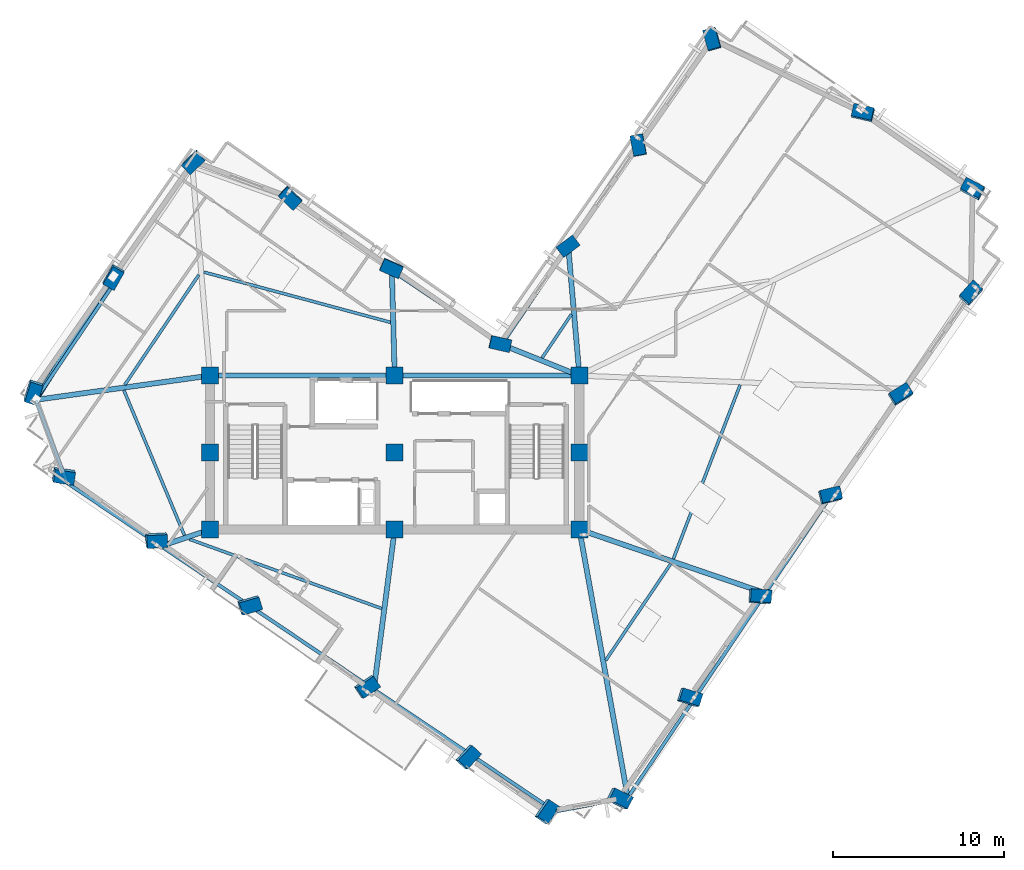
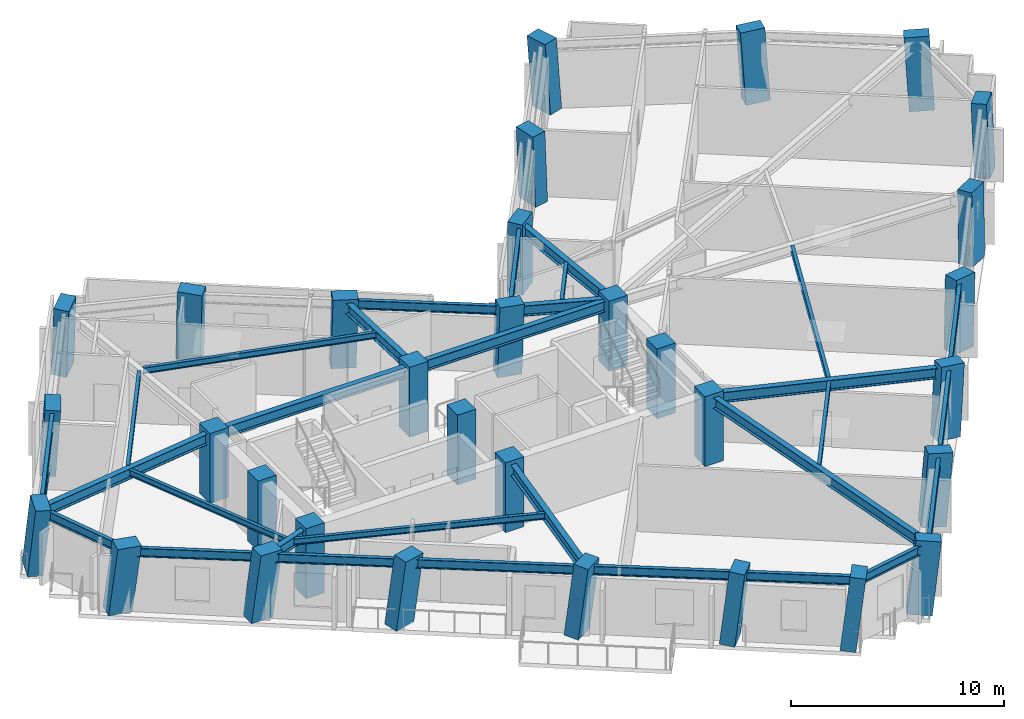
# One storey, part 1 of 12: 32 columns, 30 beams, 1 member.
"""IFC4 building model written with IfcOpenShell, lengths in metres."""

from ifc_helpers import new_model, si_unit, direction, frame, origin, origin_2d, place, context, subcontext, project, spatial, rectangle, hollow_circle, i_section, extrude, material, material_profile, profile_set, type_object, element, save


model = new_model("IFC4")

# Units and contexts
model_context = context("Model", 3, precision=1e-05, world=origin(), true_north=direction((0.0, 1.0)))
body_context = subcontext(model_context, "Body", "Model", "MODEL_VIEW")
ifc_project = project(units=[si_unit("LENGTHUNIT", "METRE"), si_unit("AREAUNIT", "SQUARE_METRE"), si_unit("VOLUMEUNIT", "CUBIC_METRE"), si_unit("PLANEANGLEUNIT", "RADIAN"), si_unit("MASSUNIT", "GRAM", prefix="KILO")], contexts=[model_context])

# Site, building, storey
site_placement = place(None, origin())
site = spatial("IfcSite", under=ifc_project, at=site_placement, CompositionType="ELEMENT")
building_placement = place(site_placement, origin())
building = spatial("IfcBuilding", under=site, at=building_placement, Name="Gaonmaruhae Medical Tower", CompositionType="ELEMENT")
storey_placement = place(building_placement, frame((0.0, 0.0, 259.199951171875)))
storey = spatial("IfcBuildingStorey", under=building, at=storey_placement, Name="L62", CompositionType="ELEMENT", Elevation=259.199951171875)

# Columns
ifc_material_1 = material(Name="Concrete C50/60", Category="concrete")
ifc_material_profile_1 = material_profile(ifc_material_1, rectangle(XDim=1.0, YDim=1.0, at=origin_2d()), Name="RC-1000x1000")
ifc_profile_set_1 = profile_set([ifc_material_profile_1], Name="Concrete C50/60")
column_type_1 = type_object("IfcColumnType", Name="CC-05 Zone 4 Core Column (RC-1000x1000)", PredefinedType="COLUMN", material=ifc_profile_set_1)
for number, where, z_axis, x_axis, name in (
    (1, (14.0, 7.800048828125, 0.0), (0.0, 0.0, 1.0), (1.0, 0.0, 0.0), "L62 Plumb Core Column CC11"),
    (2, (14.0, 12.300048828125, 0.0), (0.0, 0.0, 1.0), (1.0, 0.0, 0.0), "L62 Plumb Core Column CC12"),
    (3, (14.0, 16.800048828125, 0.0), (0.0, 0.0, 1.0), (1.0, 0.0, 0.0), "L62 Plumb Core Column CC13"),
    (4, (24.800048828125, 7.800048828125, 0.0), (0.0, 0.0, 1.0), (1.0, 0.0, 0.0), "L62 Plumb Core Column CC21"),
    (5, (24.800048828125, 12.300048828125, 0.0), (0.0, 0.0, 1.0), (1.0, 0.0, 0.0), "L62 Plumb Core Column CC22"),
    (6, (24.800048828125, 16.800048828125, 0.0), (0.0, 0.0, 1.0), (1.0, 0.0, 0.0), "L62 Plumb Core Column CC23"),
    (7, (35.60009765625, 7.800048828125, 0.0), (0.0, 0.0, 1.0), (1.0, 0.0, 0.0), "L62 Plumb Core Column CC31"),
    (8, (35.60009765625, 12.300048828125, 0.0), (0.0, 0.0, 1.0), (1.0, 0.0, 0.0), "L62 Plumb Core Column CC32"),
    (9, (35.60009765625, 16.800048828125, 0.0), (0.0, 0.0, 1.0), (1.0, 0.0, 0.0), "L62 Plumb Core Column CC33"),
):
    element("IfcColumn", number, at=place(storey_placement, frame(where, z_axis=z_axis, x_axis=x_axis)), inside=storey, type_object=column_type_1, Name=name, PredefinedType="COLUMN", context=body_context, shape_type="SweptSolid", body=[
        extrude(rectangle(XDim=1.0, YDim=1.0, at=origin_2d()), origin(), (0.0, 0.0, 1.0), 4.0),
    ])
ifc_material_profile_2 = material_profile(ifc_material_1, rectangle(XDim=1.199951171875, YDim=0.75, at=origin_2d()), Name="RC-1200x750")
ifc_profile_set_2 = profile_set([ifc_material_profile_2], Name="Concrete C50/60")
column_type_2 = type_object("IfcColumnType", Name="TC-03 Upper Raking Tube Pier Column (RC-1200x750)", PredefinedType="COLUMN", material=ifc_profile_set_2)
column_1_placement = place(storey_placement, frame((37.88818359375, -7.94189453125, 0.001953125), z_axis=(0.134308942989, 0.01870277755, 0.99076299585), x_axis=(-0.883721512604, 0.45460659371, 0.111216604497)))
element("IfcColumn", 10, at=column_1_placement, inside=storey, type_object=column_type_2, Name="L62 Perimeter Tube Column S01", PredefinedType="COLUMN", context=body_context, shape_type="SweptSolid", body=[
    extrude(rectangle(XDim=1.199951171875, YDim=0.75, at=origin_2d()), origin(), (0.0, 0.0, 1.0), 4.03369140625),
])
column_2_placement = place(storey_placement, frame((42.007568359375, -2.036865234375, 0.001953125), z_axis=(0.110255129205, 0.035558341064, 0.993267039051), x_axis=(-0.950921658862, 0.294483703304, 0.095012352863)))
element("IfcColumn", 11, at=column_2_placement, inside=storey, type_object=column_type_2, Name="L62 Perimeter Tube Column S02", PredefinedType="COLUMN", context=body_context, shape_type="SweptSolid", body=[
    extrude(rectangle(XDim=1.199951171875, YDim=0.75, at=origin_2d()), origin(), (0.0, 0.0, 1.0), 4.0234375),
])
column_3_placement = place(storey_placement, frame((46.127197265625, 3.868408203125, 0.001953125), z_axis=(0.085884033483, 0.052332733779, 0.994929755193), x_axis=(-0.9945362428, 0.063984080807, 0.082484538915)))
element("IfcColumn", 12, at=column_3_placement, inside=storey, type_object=column_type_2, Name="L62 Perimeter Tube Column S03", PredefinedType="COLUMN", context=body_context, shape_type="SweptSolid", body=[
    extrude(rectangle(XDim=1.199951171875, YDim=0.75, at=origin_2d()), origin(), (0.0, 0.0, 1.0), 4.0166015625),
])
column_4_placement = place(storey_placement, frame((50.24658203125, 9.7734375, 0.001953125), z_axis=(0.061437147867, 0.069223241854, 0.995707597465), x_axis=(-0.969991349741, -0.230986175775, 0.075908945645)))
element("IfcColumn", 13, at=column_4_placement, inside=storey, type_object=column_type_2, Name="L62 Perimeter Tube Column S04", PredefinedType="COLUMN", context=body_context, shape_type="SweptSolid", body=[
    extrude(rectangle(XDim=1.199951171875, YDim=0.75, at=origin_2d()), origin(), (0.0, 0.0, 1.0), 4.013671875),
])
column_5_placement = place(storey_placement, frame((54.365966796875, 15.678466796875, 0.001953125), z_axis=(0.03691932488, 0.086063994572, 0.995605319536), x_axis=(-0.847717972031, -0.524857195054, 0.076806019917)))
element("IfcColumn", 14, at=column_5_placement, inside=storey, type_object=column_type_2, Name="L62 Perimeter Tube Column S05", PredefinedType="COLUMN", context=body_context, shape_type="SweptSolid", body=[
    extrude(rectangle(XDim=1.199951171875, YDim=0.75, at=origin_2d()), origin(), (0.0, 0.0, 1.0), 4.013916015625),
])
column_6_placement = place(storey_placement, frame((58.4853515625, 21.583740234375, 0.001953125), z_axis=(0.012395734338, 0.102690152111, 0.994636153792), x_axis=(-0.665782441812, -0.741307709534, 0.084832894327)))
element("IfcColumn", 15, at=column_6_placement, inside=storey, type_object=column_type_2, Name="L62 Perimeter Tube Column S06", PredefinedType="COLUMN", context=body_context, shape_type="SweptSolid", body=[
    extrude(rectangle(XDim=1.199951171875, YDim=0.75, at=origin_2d()), origin(), (0.0, 0.0, 1.0), 4.017822265625),
])
column_7_placement = place(storey_placement, frame((58.586181640625, 27.670654296875, 0.001953125), z_axis=(-0.012699185613, 0.102930241281, 0.994607508575), x_axis=(0.883660600757, -0.464352223907, 0.059337634117)))
element("IfcColumn", 16, at=column_7_placement, inside=storey, type_object=column_type_2, Name="L62 Perimeter Tube Column E01", PredefinedType="COLUMN", context=body_context, shape_type="SweptSolid", body=[
    extrude(rectangle(XDim=1.199951171875, YDim=0.75, at=origin_2d()), origin(), (0.0, 0.0, 1.0), 4.01806640625),
])
column_8_placement = place(storey_placement, frame((52.18896484375, 32.133544921875, 0.001953125), z_axis=(-0.030928368187, 0.076529446477, 0.996587517413), x_axis=(0.974050848786, -0.221347232866, 0.047226544254)))
element("IfcColumn", 17, at=column_8_placement, inside=storey, type_object=column_type_2, Name="L62 Perimeter Tube Column E02", PredefinedType="COLUMN", context=body_context, shape_type="SweptSolid", body=[
    extrude(rectangle(XDim=1.199951171875, YDim=0.75, at=origin_2d()), origin(), (0.0, 0.0, 1.0), 4.010009765625),
])
column_9_placement = place(storey_placement, frame((43.375244140625, 36.452880859375, 0.001953125), z_axis=(-0.048592952398, 0.040057176569, 0.998015103885), x_axis=(0.267660876865, -0.962127864651, 0.051649076055)))
element("IfcColumn", 18, at=column_9_placement, inside=storey, type_object=column_type_2, Name="L62 Perimeter Tube Column E03", PredefinedType="COLUMN", context=body_context, shape_type="SweptSolid", body=[
    extrude(rectangle(XDim=1.199951171875, YDim=0.75, at=origin_2d()), origin(), (0.0, 0.0, 1.0), 4.00439453125),
])
column_10_placement = place(storey_placement, frame((39.055419921875, 30.2607421875, 0.001953125), z_axis=(-0.022775341042, 0.022408981669, 0.99948943035), x_axis=(0.183044669625, -0.982755287871, 0.026204829398)))
element("IfcColumn", 19, at=column_10_placement, inside=storey, type_object=column_type_2, Name="L62 Perimeter Tube Column EN01", PredefinedType="COLUMN", context=body_context, shape_type="SweptSolid", body=[
    extrude(rectangle(XDim=1.199951171875, YDim=0.75, at=origin_2d()), origin(), (0.0, 0.0, 1.0), 3.998291015625),
])
column_11_placement = place(storey_placement, frame((34.93603515625, 24.355712890625, 0.001953125), z_axis=(0.001832701206, 0.005559193659, 0.999982868139), x_axis=(-0.800160526924, -0.599766691213, 0.004800756595)))
element("IfcColumn", 20, at=column_11_placement, inside=storey, type_object=column_type_2, Name="L62 Perimeter Tube Column EN02", PredefinedType="COLUMN", context=body_context, shape_type="SweptSolid", body=[
    extrude(rectangle(XDim=1.199951171875, YDim=0.75, at=origin_2d()), origin(), (0.0, 0.0, 1.0), 3.996337890625),
])
column_12_placement = place(storey_placement, frame((30.959716796875, 18.655517578125, 0.001953125), z_axis=(0.025526294646, -0.010686845845, 0.999617026469), x_axis=(-0.975503730125, 0.218289310673, 0.027244253684)))
element("IfcColumn", 21, at=column_12_placement, inside=storey, type_object=column_type_2, Name="L62 Perimeter Tube Column KN01", PredefinedType="COLUMN", context=body_context, shape_type="SweptSolid", body=[
    extrude(rectangle(XDim=1.199951171875, YDim=0.75, at=origin_2d()), origin(), (0.0, 0.0, 1.0), 3.997802734375),
])
column_13_placement = place(storey_placement, frame((24.603515625, 23.089599609375, 0.001953125), z_axis=(0.007386709361, -0.037177735545, 0.999281368036), x_axis=(-0.915845651097, 0.400944413579, 0.021686875903)))
element("IfcColumn", 22, at=column_13_placement, inside=storey, type_object=column_type_2, Name="L62 Perimeter Tube Column NE01", PredefinedType="COLUMN", context=body_context, shape_type="SweptSolid", body=[
    extrude(rectangle(XDim=1.199951171875, YDim=0.75, at=origin_2d()), origin(), (0.0, 0.0, 1.0), 3.999267578125),
])
column_14_placement = place(storey_placement, frame((18.6982421875, 27.208984375, 0.001953125), z_axis=(-0.009450651527, -0.061703608682, 0.998049773238), x_axis=(-0.724246077082, 0.688616038079, 0.035715149892)))
element("IfcColumn", 23, at=column_14_placement, inside=storey, type_object=column_type_2, Name="L62 Perimeter Tube Column NE02", PredefinedType="COLUMN", context=body_context, shape_type="SweptSolid", body=[
    extrude(rectangle(XDim=1.199951171875, YDim=0.75, at=origin_2d()), origin(), (0.0, 0.0, 1.0), 4.004150390625),
])
column_15_placement = place(storey_placement, frame((13.042236328125, 29.325927734375, 0.001953125), z_axis=(-0.018014447345, -0.085081747932, 0.996211110084), x_axis=(0.728978609548, 0.680810293974, 0.071326926471)))
element("IfcColumn", 24, at=column_15_placement, inside=storey, type_object=column_type_2, Name="L62 Perimeter Tube Column N01", PredefinedType="COLUMN", context=body_context, shape_type="SweptSolid", body=[
    extrude(rectangle(XDim=1.199951171875, YDim=0.75, at=origin_2d()), origin(), (0.0, 0.0, 1.0), 4.011474609375),
])
column_16_placement = place(storey_placement, frame((8.3505859375, 22.6005859375, 0.001953125), z_axis=(0.009964092293, -0.104015402478, 0.994525772875), x_axis=(0.491758834687, 0.866503859195, 0.08569895278)))
element("IfcColumn", 25, at=column_16_placement, inside=storey, type_object=column_type_2, Name="L62 Perimeter Tube Column N02", PredefinedType="COLUMN", context=body_context, shape_type="SweptSolid", body=[
    extrude(rectangle(XDim=1.199951171875, YDim=0.75, at=origin_2d()), origin(), (0.0, 0.0, 1.0), 4.018310546875),
])
column_17_placement = place(storey_placement, frame((3.6591796875, 15.875244140625, 0.001953125), z_axis=(0.037684118386, -0.122746019051, 0.991722401698), x_axis=(0.30823691236, 0.945462985403, 0.105307877631)))
element("IfcColumn", 26, at=column_17_placement, inside=storey, type_object=column_type_2, Name="L62 Perimeter Tube Column N03", PredefinedType="COLUMN", context=body_context, shape_type="SweptSolid", body=[
    extrude(rectangle(XDim=1.199951171875, YDim=0.75, at=origin_2d()), origin(), (0.0, 0.0, 1.0), 4.02978515625),
])
column_18_placement = place(storey_placement, frame((5.428466796875, 10.983154296875, 0.001953125), z_axis=(0.057733853131, -0.115285962758, 0.991653139456), x_axis=(-0.987390320291, 0.140065903522, 0.073769221678)))
element("IfcColumn", 27, at=column_18_placement, inside=storey, type_object=column_type_2, Name="L62 Perimeter Tube Column W01", PredefinedType="COLUMN", context=body_context, shape_type="SweptSolid", body=[
    extrude(rectangle(XDim=1.199951171875, YDim=0.75, at=origin_2d()), origin(), (0.0, 0.0, 1.0), 4.030029296875),
])
column_19_placement = place(storey_placement, frame((10.84130859375, 7.20703125, 0.001953125), z_axis=(0.073218219702, -0.093054473092, 0.992965234709), x_axis=(-0.995856173351, -0.060671314554, 0.067745653657)))
element("IfcColumn", 28, at=column_19_placement, inside=storey, type_object=column_type_2, Name="L62 Perimeter Tube Column W02", PredefinedType="COLUMN", context=body_context, shape_type="SweptSolid", body=[
    extrude(rectangle(XDim=1.199951171875, YDim=0.75, at=origin_2d()), origin(), (0.0, 0.0, 1.0), 4.024658203125),
])
column_20_placement = place(storey_placement, frame((16.29541015625, 3.40234375, 0.001953125), z_axis=(0.088739498506, -0.070530299086, 0.993554617681), x_axis=(-0.955324569073, -0.288355272947, 0.064855256449)))
element("IfcColumn", 29, at=column_20_placement, inside=storey, type_object=column_type_2, Name="L62 Perimeter Tube Column W03", PredefinedType="COLUMN", context=body_context, shape_type="SweptSolid", body=[
    extrude(rectangle(XDim=1.199951171875, YDim=0.75, at=origin_2d()), origin(), (0.0, 0.0, 1.0), 4.022216796875),
])
column_21_placement = place(storey_placement, frame((23.143798828125, -1.375, 0.001953125), z_axis=(0.108128617491, -0.042171374386, 0.993242053712), x_axis=(-0.827443780032, -0.557608555658, 0.066403987405)))
element("IfcColumn", 30, at=column_21_placement, inside=storey, type_object=column_type_2, Name="L62 Perimeter Tube Column W04", PredefinedType="COLUMN", context=body_context, shape_type="SweptSolid", body=[
    extrude(rectangle(XDim=1.199951171875, YDim=0.75, at=origin_2d()), origin(), (0.0, 0.0, 1.0), 4.0234375),
])
column_22_placement = place(storey_placement, frame((29.048828125, -5.494384765625, 0.001953125), z_axis=(0.124723885186, -0.017696489055, 0.9920336621), x_axis=(-0.677173208358, -0.73228522082, 0.072074969657)))
element("IfcColumn", 31, at=column_22_placement, inside=storey, type_object=column_type_2, Name="L62 Perimeter Tube Column W05", PredefinedType="COLUMN", context=body_context, shape_type="SweptSolid", body=[
    extrude(rectangle(XDim=1.199951171875, YDim=0.75, at=origin_2d()), origin(), (0.0, 0.0, 1.0), 4.0283203125),
])
column_23_placement = place(storey_placement, frame((33.641845703125, -8.698486328125, 0.001953125), z_axis=(0.137480849242, 0.001331240618, 0.990503530478), x_axis=(-0.558744702115, -0.825600704714, 0.078662788118)))
element("IfcColumn", 32, at=column_23_placement, inside=storey, type_object=column_type_2, Name="L62 Perimeter Tube Column W06", PredefinedType="COLUMN", context=body_context, shape_type="SweptSolid", body=[
    extrude(rectangle(XDim=1.199951171875, YDim=0.75, at=origin_2d()), origin(), (0.0, 0.0, 1.0), 4.03466796875),
])

# Beams
ifc_material_2 = material(Name="Steel SM355", Category="steel")
ifc_material_profile_3 = material_profile(ifc_material_2, i_section(OverallWidth=0.175048828125, OverallDepth=0.35009765625, WebThickness=0.007080078125, FlangeThickness=0.010986328125, FilletRadius=0.012939453125, at=origin_2d()), Name="H-350x175x7x11")
ifc_profile_set_3 = profile_set([ifc_material_profile_3], Name="Steel SM355")
beam_type_1 = type_object("IfcBeamType", Name="FJ-02 Upper Zone Ward Floor Joist (H-350x175x7x11)", PredefinedType="JOIST", material=ifc_profile_set_3)
beam_1_placement = place(storey_placement, frame((37.138671875, 0.150390625, 3.60498046875), z_axis=(0.558471155852, 0.829523940632, 0.0), x_axis=(-0.829523940632, 0.558471155852, 0.0)))
element("IfcBeam", 33, at=beam_1_placement, inside=storey, type_object=beam_type_1, Name="L62 Secondary Floor Joist FJ01", PredefinedType="JOIST", context=body_context, shape_type="SweptSolid", body=[
    extrude(i_section(OverallWidth=0.175048828125, OverallDepth=0.35009765625, WebThickness=0.007080078125, FlangeThickness=0.010986328125, FilletRadius=0.012939453125, at=origin_2d()), origin(), (0.0, 0.0, 1.0), 6.8173828125),
])
beam_2_placement = place(storey_placement, frame((41.092041015625, 6.085205078125, 3.60498046875), z_axis=(0.358453583054, 0.933547550367, 0.0), x_axis=(-0.933547550367, 0.358453583054, 0.0)))
element("IfcBeam", 34, at=beam_2_placement, inside=storey, type_object=beam_type_1, Name="L62 Secondary Floor Joist FJ02", PredefinedType="JOIST", context=body_context, shape_type="SweptSolid", body=[
    extrude(i_section(OverallWidth=0.175048828125, OverallDepth=0.35009765625, WebThickness=0.007080078125, FlangeThickness=0.010986328125, FilletRadius=0.012939453125, at=origin_2d()), origin(), (0.0, 0.0, 1.0), 10.8974609375),
])
beam_3_placement = place(storey_placement, frame((35.134765625, 20.3857421875, 3.60498046875), z_axis=(-0.55847422869, -0.829521871857, 0.0), x_axis=(0.829521871857, -0.55847422869, 0.0)))
element("IfcBeam", 35, at=beam_3_placement, inside=storey, type_object=beam_type_1, Name="L62 Secondary Floor Joist FJ05", PredefinedType="JOIST", context=body_context, shape_type="SweptSolid", body=[
    extrude(i_section(OverallWidth=0.175048828125, OverallDepth=0.35009765625, WebThickness=0.007080078125, FlangeThickness=0.010986328125, FilletRadius=0.012939453125, at=origin_2d()), origin(), (0.0, 0.0, 1.0), 3.070556640625),
])
beam_4_placement = place(storey_placement, frame((24.5595703125, 19.91259765625, 3.60498046875), z_axis=(-0.96565641367, 0.259822421546, 0.0), x_axis=(-0.259822421546, -0.96565641367, 0.0)))
element("IfcBeam", 36, at=beam_4_placement, inside=storey, type_object=beam_type_1, Name="L62 Secondary Floor Joist FJ07", PredefinedType="JOIST", context=body_context, shape_type="SweptSolid", body=[
    extrude(i_section(OverallWidth=0.175048828125, OverallDepth=0.35009765625, WebThickness=0.007080078125, FlangeThickness=0.010986328125, FilletRadius=0.012939453125, at=origin_2d()), origin(), (0.0, 0.0, 1.0), 11.302978515625),
])
beam_5_placement = place(storey_placement, frame((13.347900390625, 22.688720703125, 3.60498046875), z_axis=(-0.558454360336, -0.829535247848, 0.0), x_axis=(0.829535247848, -0.558454360336, 0.0)))
element("IfcBeam", 37, at=beam_5_placement, inside=storey, type_object=beam_type_1, Name="L62 Secondary Floor Joist FJ08", PredefinedType="JOIST", context=body_context, shape_type="SweptSolid", body=[
    extrude(i_section(OverallWidth=0.175048828125, OverallDepth=0.35009765625, WebThickness=0.007080078125, FlangeThickness=0.010986328125, FilletRadius=0.012939453125, at=origin_2d()), origin(), (0.0, 0.0, 1.0), 7.7470703125),
])
beam_6_placement = place(storey_placement, frame((8.967529296875, 15.94140625, 3.60498046875), z_axis=(0.385222686708, -0.922823646015, 0.0), x_axis=(0.922823646015, 0.385222686708, 0.0)))
element("IfcBeam", 38, at=beam_6_placement, inside=storey, type_object=beam_type_1, Name="L62 Secondary Floor Joist FJ09", PredefinedType="JOIST", context=body_context, shape_type="SweptSolid", body=[
    extrude(i_section(OverallWidth=0.175048828125, OverallDepth=0.35009765625, WebThickness=0.007080078125, FlangeThickness=0.010986328125, FilletRadius=0.012939453125, at=origin_2d()), origin(), (0.0, 0.0, 1.0), 9.190185546875),
])
beam_7_placement = place(storey_placement, frame((12.800537109375, 7.232421875, 3.5849609375), z_axis=(0.940765166984, -0.339058845319, 0.0), x_axis=(0.339058845319, 0.940765166984, 0.0)))
element("IfcBeam", 39, at=beam_7_placement, inside=storey, type_object=beam_type_1, Name="L62 Secondary Floor Joist FJ10", PredefinedType="JOIST", context=body_context, shape_type="SweptSolid", body=[
    extrude(i_section(OverallWidth=0.175048828125, OverallDepth=0.35009765625, WebThickness=0.007080078125, FlangeThickness=0.010986328125, FilletRadius=0.012939453125, at=origin_2d()), origin(), (0.0, 0.0, 1.0), 11.946533203125),
])

# Member
ifc_material_profile_4 = material_profile(ifc_material_2, hollow_circle(Radius=0.1591796875, WallThickness=0.01025390625, at=origin_2d()), Name="CHS-318.5x10.3")
ifc_profile_set_4 = profile_set([ifc_material_profile_4], Name="Steel SM355")
member_type = type_object("IfcMemberType", Name="PB-03 Perimeter Solid-Bay Tube Brace Upper (CHS-318.5x10.3)", PredefinedType="BRACE", material=ifc_profile_set_4)
member_placement = place(storey_placement, frame((8.3505859375, 22.600830078125, 0.25), z_axis=(-0.496762815015, -0.790176961979, 0.358952746718), x_axis=(0.846597854871, -0.532233099429, 0.0)))
element("IfcMember", 40, at=member_placement, inside=storey, type_object=member_type, Name="L62 Perimeter Tube Solid-Bay Brace N02-N03", PredefinedType="BRACE", context=body_context, shape_type="SweptSolid", body=[
    extrude(hollow_circle(Radius=0.1591796875, WallThickness=0.01025390625, at=origin_2d()), origin(), (0.0, 0.0, 1.0), 9.1376953125),
])

# Beams
ifc_material_3 = material(Name="Steel SM420", Category="steel")
ifc_material_profile_5 = material_profile(ifc_material_3, i_section(OverallWidth=0.300048828125, OverallDepth=0.60009765625, WebThickness=0.011962890625, FlangeThickness=0.02001953125, FilletRadius=0.012939453125, at=origin_2d()), Name="H-600x300x12x20")
ifc_profile_set_5 = profile_set([ifc_material_profile_5], Name="Steel SM420")
beam_type_2 = type_object("IfcBeamType", Name="PG-04 Zone 4 Radial Floor Girder (H-600x300x12x20)", PredefinedType="BEAM", material=ifc_profile_set_5)
for number, where, z_axis, x_axis, name in (
    (41, (14.050048828125, 16.800048828125, 3.47998046875), (1.0, 0.0, 0.0), (0.0, 1.0, 0.0), "L62 Beam BM-L62-CG-N1"),
    (42, (24.85009765625, 16.800048828125, 3.47998046875), (1.0, 0.0, 0.0), (0.0, 1.0, 0.0), "L62 Beam BM-L62-CG-N2"),
):
    element("IfcBeam", number, at=place(storey_placement, frame(where, z_axis=z_axis, x_axis=x_axis)), inside=storey, type_object=beam_type_2, Name=name, PredefinedType="BEAM", context=body_context, shape_type="SweptSolid", body=[
        extrude(i_section(OverallWidth=0.300048828125, OverallDepth=0.60009765625, WebThickness=0.011962890625, FlangeThickness=0.02001953125, FilletRadius=0.012939453125, at=origin_2d()), origin(), (0.0, 0.0, 1.0), 10.699951171875),
    ])
beam_8_placement = place(storey_placement, frame((35.60888671875, 7.750732421875, 3.47998046875), z_axis=(0.177782580001, -0.98406979135, 0.0), x_axis=(0.98406979135, 0.177782580001, 0.0)))
element("IfcBeam", 43, at=beam_8_placement, inside=storey, type_object=beam_type_2, Name="L62 Radial Primary Girder S01", PredefinedType="BEAM", context=body_context, shape_type="SweptSolid", body=[
    extrude(i_section(OverallWidth=0.300048828125, OverallDepth=0.60009765625, WebThickness=0.011962890625, FlangeThickness=0.02001953125, FilletRadius=0.012939453125, at=origin_2d()), origin(), (0.0, 0.0, 1.0), 15.81982421875),
])
beam_9_placement = place(storey_placement, frame((35.647216796875, 7.78369140625, 3.47998046875), z_axis=(0.946121831112, -0.323810871795, 0.0), x_axis=(0.323810871795, 0.946121831112, 0.0)))
element("IfcBeam", 44, at=beam_9_placement, inside=storey, type_object=beam_type_2, Name="L62 Radial Primary Girder S03", PredefinedType="BEAM", context=body_context, shape_type="SweptSolid", body=[
    extrude(i_section(OverallWidth=0.300048828125, OverallDepth=0.60009765625, WebThickness=0.011962890625, FlangeThickness=0.02001953125, FilletRadius=0.012939453125, at=origin_2d()), origin(), (0.0, 0.0, 1.0), 11.3916015625),
])
beam_10_placement = place(storey_placement, frame((35.595703125, 16.849853515625, 3.47998046875), z_axis=(-0.086353122427, 0.996264592489, 0.0), x_axis=(-0.996264592489, -0.086353122427, 0.0)))
element("IfcBeam", 45, at=beam_10_placement, inside=storey, type_object=beam_type_2, Name="L62 Radial Primary Girder EN02", PredefinedType="BEAM", context=body_context, shape_type="SweptSolid", body=[
    extrude(i_section(OverallWidth=0.300048828125, OverallDepth=0.60009765625, WebThickness=0.011962890625, FlangeThickness=0.02001953125, FilletRadius=0.012939453125, at=origin_2d()), origin(), (0.0, 0.0, 1.0), 7.50634765625),
])
beam_11_placement = place(storey_placement, frame((35.553466796875, 16.818603515625, 3.47998046875), z_axis=(-0.928648952789, 0.370959731621, 0.0), x_axis=(-0.370959731621, -0.928648952789, 0.0)))
element("IfcBeam", 46, at=beam_11_placement, inside=storey, type_object=beam_type_2, Name="L62 Radial Primary Girder KN01", PredefinedType="BEAM", context=body_context, shape_type="SweptSolid", body=[
    extrude(i_section(OverallWidth=0.300048828125, OverallDepth=0.60009765625, WebThickness=0.011962890625, FlangeThickness=0.02001953125, FilletRadius=0.012939453125, at=origin_2d()), origin(), (0.0, 0.0, 1.0), 4.78662109375),
])
beam_12_placement = place(storey_placement, frame((24.798583984375, 16.85009765625, 3.47998046875), z_axis=(-0.027149185469, 0.999631392929, 0.0), x_axis=(-0.999631392929, -0.027149185469, 0.0)))
element("IfcBeam", 47, at=beam_12_placement, inside=storey, type_object=beam_type_2, Name="L62 Radial Primary Girder NE01", PredefinedType="BEAM", context=body_context, shape_type="SweptSolid", body=[
    extrude(i_section(OverallWidth=0.300048828125, OverallDepth=0.60009765625, WebThickness=0.011962890625, FlangeThickness=0.02001953125, FilletRadius=0.012939453125, at=origin_2d()), origin(), (0.0, 0.0, 1.0), 6.04296875),
])
beam_13_placement = place(storey_placement, frame((13.950439453125, 16.793212890625, 3.47998046875), z_axis=(-0.990430128019, -0.138015077121, 0.0), x_axis=(0.138015077121, -0.990430128019, 0.0)))
element("IfcBeam", 48, at=beam_13_placement, inside=storey, type_object=beam_type_2, Name="L62 Radial Primary Girder N03", PredefinedType="BEAM", context=body_context, shape_type="SweptSolid", body=[
    extrude(i_section(OverallWidth=0.300048828125, OverallDepth=0.60009765625, WebThickness=0.011962890625, FlangeThickness=0.02001953125, FilletRadius=0.012939453125, at=origin_2d()), origin(), (0.0, 0.0, 1.0), 10.187255859375),
])
beam_14_placement = place(storey_placement, frame((13.95263671875, 7.783935546875, 3.47998046875), z_axis=(-0.947389098175, -0.320084202452, 0.0), x_axis=(0.320084202452, -0.947389098175, 0.0)))
element("IfcBeam", 49, at=beam_14_placement, inside=storey, type_object=beam_type_2, Name="L62 Radial Primary Girder W02", PredefinedType="BEAM", context=body_context, shape_type="SweptSolid", body=[
    extrude(i_section(OverallWidth=0.300048828125, OverallDepth=0.60009765625, WebThickness=0.011962890625, FlangeThickness=0.02001953125, FilletRadius=0.012939453125, at=origin_2d()), origin(), (0.0, 0.0, 1.0), 2.9228515625),
])
beam_15_placement = place(storey_placement, frame((24.79345703125, 7.75048828125, 3.47998046875), z_axis=(-0.129556339183, -0.991572062423, 0.0), x_axis=(0.991572062423, -0.129556339183, 0.0)))
element("IfcBeam", 50, at=beam_15_placement, inside=storey, type_object=beam_type_2, Name="L62 Radial Primary Girder W04", PredefinedType="BEAM", context=body_context, shape_type="SweptSolid", body=[
    extrude(i_section(OverallWidth=0.300048828125, OverallDepth=0.60009765625, WebThickness=0.011962890625, FlangeThickness=0.02001953125, FilletRadius=0.012939453125, at=origin_2d()), origin(), (0.0, 0.0, 1.0), 9.32421875),
])
ifc_material_profile_6 = material_profile(ifc_material_2, i_section(OverallWidth=0.199951171875, OverallDepth=0.5, WebThickness=0.010009765625, FlangeThickness=0.01611328125, FilletRadius=0.012939453125, at=origin_2d()), Name="H-500x200x10x16")
ifc_profile_set_6 = profile_set([ifc_material_profile_6], Name="Steel SM355")
beam_type_3 = type_object("IfcBeamType", Name="SP-02 Upper Perimeter Spandrel Beam (H-500x200x10x16)", PredefinedType="SPANDREL", material=ifc_profile_set_6)
for number, where, z_axis, x_axis, name in (
    (51, (38.45263671875, -7.833251953125, 3.530029296875), (0.558468943458, 0.829525430106, 0.0), (-0.829525430106, 0.558468943458, 0.0), "L62 Perimeter Spandrel Beam S01-S02"),
    (52, (42.4736328125, -1.860595703125, 3.530029296875), (0.558468943458, 0.829525430106, 0.0), (-0.829525430106, 0.558468943458, 0.0), "L62 Perimeter Spandrel Beam S02-S03"),
    (53, (46.49462890625, 4.112060546875, 3.530029296875), (0.558468943458, 0.829525430106, 0.0), (-0.829525430106, 0.558468943458, 0.0), "L62 Perimeter Spandrel Beam S03-S04"),
):
    element("IfcBeam", number, at=place(storey_placement, frame(where, z_axis=z_axis, x_axis=x_axis)), inside=storey, type_object=beam_type_3, Name=name, PredefinedType="SPANDREL", context=body_context, shape_type="SweptSolid", body=[
        extrude(i_section(OverallWidth=0.199951171875, OverallDepth=0.5, WebThickness=0.010009765625, FlangeThickness=0.01611328125, FilletRadius=0.012939453125, at=origin_2d()), origin(), (0.0, 0.0, 1.0), 7.1201171875),
    ])
beam_16_placement = place(storey_placement, frame((34.9208984375, 24.3447265625, 3.530029296875), z_axis=(-0.558458672699, -0.82953234469, 0.0), x_axis=(0.82953234469, -0.558458672699, 0.0)))
element("IfcBeam", 54, at=beam_16_placement, inside=storey, type_object=beam_type_3, Name="L62 Perimeter Spandrel Beam EN02-KN01", PredefinedType="SPANDREL", context=body_context, shape_type="SweptSolid", body=[
    extrude(i_section(OverallWidth=0.199951171875, OverallDepth=0.5, WebThickness=0.010009765625, FlangeThickness=0.01611328125, FilletRadius=0.012939453125, at=origin_2d()), origin(), (0.0, 0.0, 1.0), 6.8701171875),
])
beam_17_placement = place(storey_placement, frame((31.02880859375, 18.635009765625, 3.530029296875), z_axis=(-0.829529615751, 0.558462726233, 0.0), x_axis=(-0.558462726233, -0.829529615751, 0.0)))
element("IfcBeam", 55, at=beam_17_placement, inside=storey, type_object=beam_type_3, Name="L62 Perimeter Spandrel Beam KN01-NE01", PredefinedType="SPANDREL", context=body_context, shape_type="SweptSolid", body=[
    extrude(i_section(OverallWidth=0.199951171875, OverallDepth=0.5, WebThickness=0.010009765625, FlangeThickness=0.01611328125, FilletRadius=0.012939453125, at=origin_2d()), origin(), (0.0, 0.0, 1.0), 7.670166015625),
])
beam_18_placement = place(storey_placement, frame((8.3681640625, 22.149169921875, 3.530029296875), z_axis=(-0.558469084571, -0.829525335104, 0.0), x_axis=(0.829525335104, -0.558469084571, 0.0)))
element("IfcBeam", 56, at=beam_18_placement, inside=storey, type_object=beam_type_3, Name="L62 Perimeter Spandrel Beam N02-N03", PredefinedType="SPANDREL", context=body_context, shape_type="SweptSolid", body=[
    extrude(i_section(OverallWidth=0.199951171875, OverallDepth=0.5, WebThickness=0.010009765625, FlangeThickness=0.01611328125, FilletRadius=0.012939453125, at=origin_2d()), origin(), (0.0, 0.0, 1.0), 8.119873046875),
])
beam_19_placement = place(storey_placement, frame((3.825439453125, 15.343017578125, 3.530029296875), z_axis=(0.355616728179, -0.934631875467, 0.0), x_axis=(0.934631875467, 0.355616728179, 0.0)))
element("IfcBeam", 57, at=beam_19_placement, inside=storey, type_object=beam_type_3, Name="L62 Perimeter Spandrel Beam N03-W01", PredefinedType="SPANDREL", context=body_context, shape_type="SweptSolid", body=[
    extrude(i_section(OverallWidth=0.199951171875, OverallDepth=0.5, WebThickness=0.010009765625, FlangeThickness=0.01611328125, FilletRadius=0.012939453125, at=origin_2d()), origin(), (0.0, 0.0, 1.0), 5.1220703125),
])
beam_20_placement = place(storey_placement, frame((5.6943359375, 10.495849609375, 3.530029296875), z_axis=(0.829541713719, -0.558444755728, 0.0), x_axis=(0.558444755728, 0.829541713719, 0.0)))
element("IfcBeam", 58, at=beam_20_placement, inside=storey, type_object=beam_type_3, Name="L62 Perimeter Spandrel Beam W01-W02", PredefinedType="SPANDREL", context=body_context, shape_type="SweptSolid", body=[
    extrude(i_section(OverallWidth=0.199951171875, OverallDepth=0.5, WebThickness=0.010009765625, FlangeThickness=0.01611328125, FilletRadius=0.012939453125, at=origin_2d()), origin(), (0.0, 0.0, 1.0), 6.52001953125),
])
beam_21_placement = place(storey_placement, frame((11.169189453125, 6.81005859375, 3.510009765625), z_axis=(0.829532133044, -0.558458987077, 0.0), x_axis=(0.558458987077, 0.829532133044, 0.0)))
element("IfcBeam", 59, at=beam_21_placement, inside=storey, type_object=beam_type_3, Name="L62 Perimeter Spandrel Beam W02-W03", PredefinedType="SPANDREL", context=body_context, shape_type="SweptSolid", body=[
    extrude(i_section(OverallWidth=0.199951171875, OverallDepth=0.5, WebThickness=0.010009765625, FlangeThickness=0.01611328125, FilletRadius=0.012939453125, at=origin_2d()), origin(), (0.0, 0.0, 1.0), 6.5703125),
])
beam_22_placement = place(storey_placement, frame((16.685546875, 3.09619140625, 3.510009765625), z_axis=(0.829539356856, -0.558448256714, 0.0), x_axis=(0.558448256714, 0.829539356856, 0.0)))
element("IfcBeam", 60, at=beam_22_placement, inside=storey, type_object=beam_type_3, Name="L62 Perimeter Spandrel Beam W03-W04", PredefinedType="SPANDREL", context=body_context, shape_type="SweptSolid", body=[
    extrude(i_section(OverallWidth=0.199951171875, OverallDepth=0.5, WebThickness=0.010009765625, FlangeThickness=0.01611328125, FilletRadius=0.012939453125, at=origin_2d()), origin(), (0.0, 0.0, 1.0), 8.27001953125),
])
beam_23_placement = place(storey_placement, frame((23.612060546875, -1.56689453125, 3.530029296875), z_axis=(0.829525430106, -0.558468943458, 0.0), x_axis=(0.558468943458, 0.829525430106, 0.0)))
element("IfcBeam", 61, at=beam_23_placement, inside=storey, type_object=beam_type_3, Name="L62 Perimeter Spandrel Beam W04-W05", PredefinedType="SPANDREL", context=body_context, shape_type="SweptSolid", body=[
    extrude(i_section(OverallWidth=0.199951171875, OverallDepth=0.5, WebThickness=0.010009765625, FlangeThickness=0.01611328125, FilletRadius=0.012939453125, at=origin_2d()), origin(), (0.0, 0.0, 1.0), 7.1201171875),
])
beam_24_placement = place(storey_placement, frame((29.584716796875, -5.587890625, 3.530029296875), z_axis=(0.829531009663, -0.558460655738, 0.0), x_axis=(0.558460655738, 0.829531009663, 0.0)))
element("IfcBeam", 62, at=beam_24_placement, inside=storey, type_object=beam_type_3, Name="L62 Perimeter Spandrel Beam W05-W06", PredefinedType="SPANDREL", context=body_context, shape_type="SweptSolid", body=[
    extrude(i_section(OverallWidth=0.199951171875, OverallDepth=0.5, WebThickness=0.010009765625, FlangeThickness=0.01611328125, FilletRadius=0.012939453125, at=origin_2d()), origin(), (0.0, 0.0, 1.0), 5.52001953125),
])
beam_25_placement = place(storey_placement, frame((34.236083984375, -8.685302734375, 3.530029296875), z_axis=(0.98146652529, 0.191633660235, 0.0), x_axis=(-0.191633660235, 0.98146652529, 0.0)))
element("IfcBeam", 63, at=beam_25_placement, inside=storey, type_object=beam_type_3, Name="L62 Perimeter Spandrel Beam W06-S01", PredefinedType="SPANDREL", context=body_context, shape_type="SweptSolid", body=[
    extrude(i_section(OverallWidth=0.199951171875, OverallDepth=0.5, WebThickness=0.010009765625, FlangeThickness=0.01611328125, FilletRadius=0.012939453125, at=origin_2d()), origin(), (0.0, 0.0, 1.0), 4.2333984375),
])

save(model, "model.ifc")
